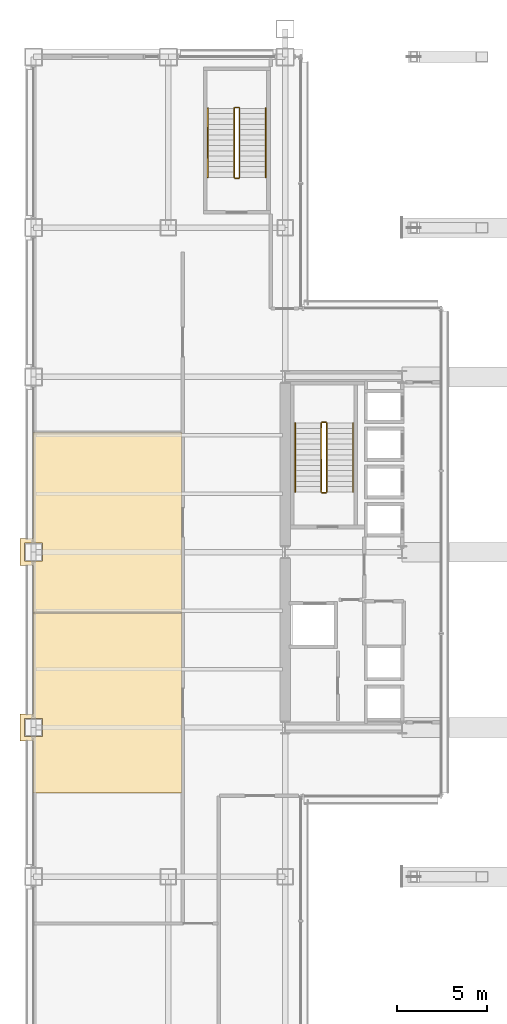
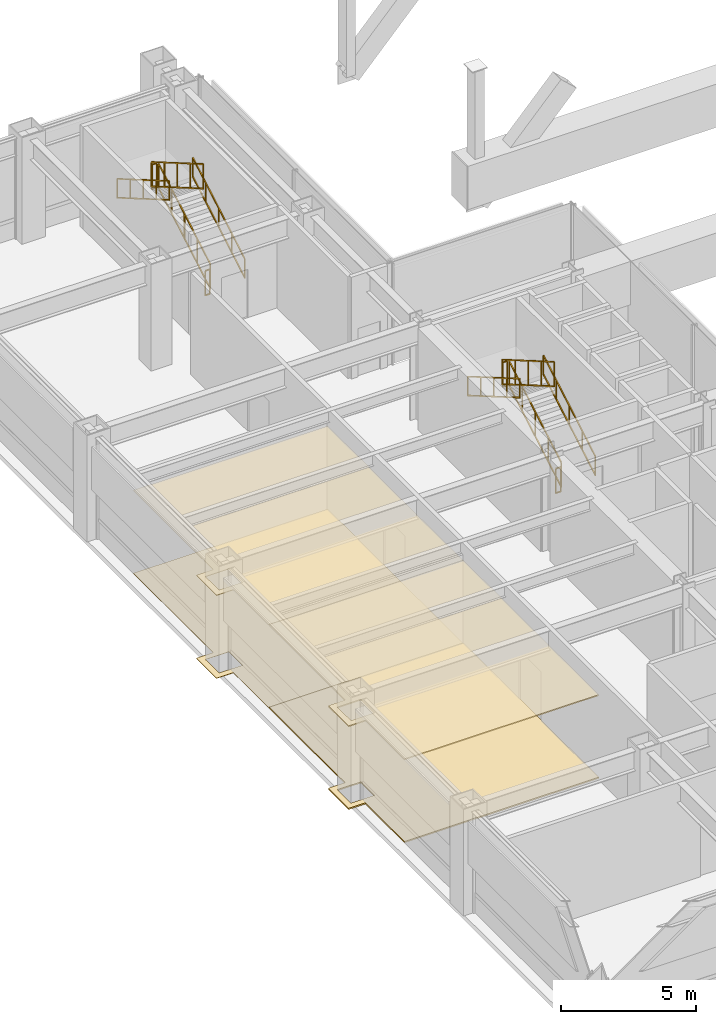
# One storey, part 41 of 42: 12 railings, 4 coverings.
"""IFC4 building model written with IfcOpenShell, lengths in metres."""

from ifc_helpers import new_model, si_unit, direction, frame, origin, origin_2d, place, context, subcontext, project, spatial, polyline, rectangle, outline, extrude, material, layer, layer_set, type_object, element, save


model = new_model("IFC4")

# Units and contexts
model_context = context("Model", 3, precision=1e-05, world=origin(), true_north=direction((0.0, 1.0)))
body_context = subcontext(model_context, "Body", "Model", "MODEL_VIEW")
ifc_project = project(units=[si_unit("LENGTHUNIT", "METRE"), si_unit("AREAUNIT", "SQUARE_METRE"), si_unit("VOLUMEUNIT", "CUBIC_METRE"), si_unit("PLANEANGLEUNIT", "RADIAN"), si_unit("MASSUNIT", "GRAM", prefix="KILO")], contexts=[model_context])

# Site, building, storey
site_placement = place(None, origin())
site = spatial("IfcSite", under=ifc_project, at=site_placement, CompositionType="ELEMENT")
building_placement = place(site_placement, origin())
building = spatial("IfcBuilding", under=site, at=building_placement, Name="Brelmoor Portico Tower", CompositionType="ELEMENT")
storey_placement = place(building_placement, frame((0.0, 0.0, 9.60009765625)))
storey = spatial("IfcBuildingStorey", under=building, at=storey_placement, Name="L02", CompositionType="ELEMENT", Elevation=9.60009765625)

# Coverings
ifc_material_1 = material(Name="Perforated Mineral-Fibre Acoustic Ceiling Tile", Category="gypsum")
ifc_layer_1 = layer(ifc_material_1, 0.02490234375)
ifc_layer_set_1 = layer_set([ifc_layer_1], Name="Perforated Mineral-Fibre Acoustic Ceiling Tile")
covering_type_1 = type_object("IfcCoveringType", Name="CV-CEIL-GYPSUM-25", PredefinedType="CEILING", material=ifc_layer_set_1)
covering_1_placement = place(storey_placement, frame((0.0, 0.0, 3.72998046875)))
element("IfcCovering", 1, at=covering_1_placement, inside=storey, type_object=covering_type_1, Name="L02 Acoustic Suspended Ceiling 02", PredefinedType="CEILING", context=body_context, shape_type="SweptSolid", body=[
    extrude(outline(polyline([(-29.300048828125, 0.75), (-28.580078125, 0.75), (-28.580078125, 6.646728515625), (-20.2900390625, 6.646728515625), (-20.2900390625, -3.3466796875), (-28.580078125, -3.3466796875), (-28.580078125, -0.75), (-29.300048828125, -0.75), (-29.300048828125, 0.75)]), holes=[polyline([(-28.050048828125, -0.5), (-28.050048828125, 0.5), (-29.050048828125, 0.5), (-29.050048828125, -0.5), (-28.050048828125, -0.5)])]), origin(), (0.0, 0.0, 1.0), 0.02490234375),
])
ifc_material_2 = material(Name="Slatted FSC Oak Acoustic Feature Ceiling", Category="timber")
ifc_layer_2 = layer(ifc_material_2, 0.052001953125)
ifc_layer_set_2 = layer_set([ifc_layer_2], Name="Slatted FSC Oak Acoustic Feature Ceiling")
covering_type_2 = type_object("IfcCoveringType", Name="CV-CEIL-TIMBER-52", PredefinedType="CEILING", material=ifc_layer_set_2)
covering_2_placement = place(storey_placement, frame((0.0, 0.0, 3.72998046875)))
element("IfcCovering", 2, at=covering_2_placement, inside=storey, type_object=covering_type_2, Name="L02 Acoustic Suspended Ceiling 01", PredefinedType="CEILING", context=body_context, shape_type="SweptSolid", body=[
    extrude(outline(polyline([(-29.300048828125, -9.0), (-28.580078125, -9.0), (-28.580078125, -3.38671875), (-20.2900390625, -3.38671875), (-20.2900390625, -13.3798828125), (-28.580078125, -13.3798828125), (-28.580078125, -10.5), (-29.300048828125, -10.5), (-29.300048828125, -9.0)]), holes=[polyline([(-29.050048828125, -10.25), (-28.050048828125, -10.25), (-28.050048828125, -9.25), (-29.050048828125, -9.25), (-29.050048828125, -10.25)])]), origin(), (0.0, 0.0, 1.0), 0.052001953125),
])
ifc_material_3 = material(Name="Calcium-Sulphate Raised Access Floor Panel", Category="steel")
ifc_layer_3 = layer(ifc_material_3, 0.06005859375)
ifc_layer_set_3 = layer_set([ifc_layer_3], Name="Calcium-Sulphate Raised Access Floor Panel")
covering_type_3 = type_object("IfcCoveringType", Name="CV-FLR-ACCESS-60", PredefinedType="FLOORING", material=ifc_layer_set_3)
covering_3_placement = place(storey_placement, origin())
element("IfcCovering", 3, at=covering_3_placement, inside=storey, type_object=covering_type_3, Name="L02 Architectural Floor Finish 01", PredefinedType="FLOORING", context=body_context, shape_type="SweptSolid", body=[
    extrude(outline(polyline([(-29.300048828125, -9.0), (-28.580078125, -9.0), (-28.580078125, -3.38671875), (-20.2900390625, -3.38671875), (-20.2900390625, -13.3798828125), (-28.580078125, -13.3798828125), (-28.580078125, -10.5), (-29.300048828125, -10.5), (-29.300048828125, -9.0)]), holes=[polyline([(-29.050048828125, -10.25), (-28.050048828125, -10.25), (-28.050048828125, -9.25), (-29.050048828125, -9.25), (-29.050048828125, -10.25)])]), origin(), (0.0, 0.0, 1.0), 0.059814453125),
])
ifc_material_4 = material(Name="Solution-Dyed Nylon Acoustic Carpet Tile", Category="textile")
ifc_layer_4 = layer(ifc_material_4, 0.013916015625)
ifc_layer_set_4 = layer_set([ifc_layer_4], Name="Solution-Dyed Nylon Acoustic Carpet Tile")
covering_type_4 = type_object("IfcCoveringType", Name="CV-FLR-CARPET-14", PredefinedType="FLOORING", material=ifc_layer_set_4)
covering_4_placement = place(storey_placement, origin())
element("IfcCovering", 4, at=covering_4_placement, inside=storey, type_object=covering_type_4, Name="L02 Architectural Floor Finish 02", PredefinedType="FLOORING", context=body_context, shape_type="SweptSolid", body=[
    extrude(outline(polyline([(-29.300048828125, 0.75), (-28.580078125, 0.75), (-28.580078125, 6.646728515625), (-20.2900390625, 6.646728515625), (-20.2900390625, -3.3466796875), (-28.580078125, -3.3466796875), (-28.580078125, -0.75), (-29.300048828125, -0.75), (-29.300048828125, 0.75)]), holes=[polyline([(-28.050048828125, -0.5), (-28.050048828125, 0.5), (-29.050048828125, 0.5), (-29.050048828125, -0.5), (-28.050048828125, -0.5)])]), origin(), (0.0, 0.0, 1.0), 0.013916015625),
])

# Railings
ifc_material_5 = material(Name="Painted Tubular Steel Q235B", Category="steel")
railing_type_1 = type_object("IfcRailingType", Name="RL-STAIR-GUARD", PredefinedType="GUARDRAIL", material=ifc_material_5)
railing_1_placement = place(storey_placement, frame((-12.239990234375, 3.35009765625, 0.17138671875)))
element("IfcRailing", 5, at=railing_1_placement, inside=storey, type_object=railing_type_1, Name="L02 ST-W stair guard 1", PredefinedType="GUARDRAIL", context=body_context, shape_type="SweptSolid", body=[
    extrude(rectangle(XDim=0.048095703125, YDim=0.048095703125, at=origin_2d()), frame((0.0, 0.0, 1.1259765625), z_axis=(0.0, 0.86461618451, 0.502432934314), x_axis=(-1.0, 0.0, 0.0)), (0.0, 0.0, 1.0), 4.435546875),
    extrude(rectangle(XDim=0.048095703125, YDim=0.048095703125, at=origin_2d()), frame((0.0, 0.0, 0.02392578125), z_axis=(0.0, 0.86461618451, 0.502432934314), x_axis=(-1.0, 0.0, 0.0)), (0.0, 0.0, 1.0), 4.435546875),
    extrude(rectangle(XDim=0.0419921875, YDim=0.0419921875, at=origin_2d()), origin(), (0.0, 0.0, 1.0), 1.101806640625),
    extrude(rectangle(XDim=0.0419921875, YDim=0.0419921875, at=origin_2d()), frame((0.0, 0.958740234375, 0.55712890625)), (0.0, 0.0, 1.0), 1.101806640625),
    extrude(rectangle(XDim=0.0419921875, YDim=0.0419921875, at=origin_2d()), frame((0.0, 1.91748046875, 1.1142578125)), (0.0, 0.0, 1.0), 1.101806640625),
    extrude(rectangle(XDim=0.0419921875, YDim=0.0419921875, at=origin_2d()), frame((0.0, 2.876220703125, 1.67138671875)), (0.0, 0.0, 1.0), 1.101806640625),
    extrude(rectangle(XDim=0.0419921875, YDim=0.0419921875, at=origin_2d()), frame((0.0, 3.8349609375, 2.228515625)), (0.0, 0.0, 1.0), 1.101806640625),
])
railing_2_placement = place(storey_placement, frame((-12.2900390625, 7.235107421875, 2.39990234375)))
element("IfcRailing", 6, at=railing_2_placement, inside=storey, type_object=railing_type_1, Name="L02 ST-W stair guard 2", PredefinedType="GUARDRAIL", context=body_context, shape_type="SweptSolid", body=[
    extrude(rectangle(XDim=0.048095703125, YDim=0.048095703125, at=origin_2d()), frame((0.0, 0.0, 1.1259765625), z_axis=(-1.0, 0.0, 0.0), x_axis=(0.0, -1.0, 0.0)), (0.0, 0.0, 1.0), 0.199951171875),
    extrude(rectangle(XDim=0.048095703125, YDim=0.048095703125, at=origin_2d()), frame((0.0, 0.0, 0.02392578125), z_axis=(-1.0, 0.0, 0.0), x_axis=(0.0, -1.0, 0.0)), (0.0, 0.0, 1.0), 0.199951171875),
    extrude(rectangle(XDim=0.0419921875, YDim=0.0419921875, at=origin_2d()), origin(), (0.0, 0.0, 1.0), 1.101806640625),
    extrude(rectangle(XDim=0.0419921875, YDim=0.0419921875, at=origin_2d()), frame((-0.199951171875, 0.0, 0.0)), (0.0, 0.0, 1.0), 1.101806640625),
])
railing_3_placement = place(storey_placement, frame((-12.5400390625, 7.18505859375, 2.5712890625)))
element("IfcRailing", 7, at=railing_3_placement, inside=storey, type_object=railing_type_1, Name="L02 ST-W stair guard 3", PredefinedType="GUARDRAIL", context=body_context, shape_type="SweptSolid", body=[
    extrude(rectangle(XDim=0.048095703125, YDim=0.048095703125, at=origin_2d()), frame((0.0, 0.0, 1.1259765625), z_axis=(0.0, -0.86461618451, 0.502432934314), x_axis=(1.0, 0.0, 0.0)), (0.0, 0.0, 1.0), 4.435546875),
    extrude(rectangle(XDim=0.048095703125, YDim=0.048095703125, at=origin_2d()), frame((0.0, 0.0, 0.02392578125), z_axis=(0.0, -0.86461618451, 0.502432934314), x_axis=(1.0, 0.0, 0.0)), (0.0, 0.0, 1.0), 4.435546875),
    extrude(rectangle(XDim=0.0419921875, YDim=0.0419921875, at=origin_2d()), origin(), (0.0, 0.0, 1.0), 1.101806640625),
    extrude(rectangle(XDim=0.0419921875, YDim=0.0419921875, at=origin_2d()), frame((0.0, -0.958740234375, 0.55712890625)), (0.0, 0.0, 1.0), 1.101806640625),
    extrude(rectangle(XDim=0.0419921875, YDim=0.0419921875, at=origin_2d()), frame((0.0, -1.91748046875, 1.1142578125)), (0.0, 0.0, 1.0), 1.101806640625),
    extrude(rectangle(XDim=0.0419921875, YDim=0.0419921875, at=origin_2d()), frame((0.0, -2.876220703125, 1.67138671875)), (0.0, 0.0, 1.0), 1.101806640625),
    extrude(rectangle(XDim=0.0419921875, YDim=0.0419921875, at=origin_2d()), frame((0.0, -3.8349609375, 2.228515625)), (0.0, 0.0, 1.0), 1.101806640625),
])
railing_4_placement = place(storey_placement, frame((-12.2900390625, 3.300048828125, 0.0)))
element("IfcRailing", 8, at=railing_4_placement, inside=storey, type_object=railing_type_1, Name="L02 ST-W stair guard 4", PredefinedType="GUARDRAIL", context=body_context, shape_type="SweptSolid", body=[
    extrude(rectangle(XDim=0.048095703125, YDim=0.048095703125, at=origin_2d()), frame((0.0, 0.0, 1.1259765625), z_axis=(-1.0, 0.0, 0.0), x_axis=(0.0, -1.0, 0.0)), (0.0, 0.0, 1.0), 0.199951171875),
    extrude(rectangle(XDim=0.048095703125, YDim=0.048095703125, at=origin_2d()), frame((0.0, 0.0, 0.02392578125), z_axis=(-1.0, 0.0, 0.0), x_axis=(0.0, -1.0, 0.0)), (0.0, 0.0, 1.0), 0.199951171875),
    extrude(rectangle(XDim=0.0419921875, YDim=0.0419921875, at=origin_2d()), origin(), (0.0, 0.0, 1.0), 1.101806640625),
    extrude(rectangle(XDim=0.0419921875, YDim=0.0419921875, at=origin_2d()), frame((-0.199951171875, 0.0, 0.0)), (0.0, 0.0, 1.0), 1.101806640625),
])
railing_5_placement = place(storey_placement, frame((-17.090087890625, 20.85009765625, 0.17138671875)))
element("IfcRailing", 9, at=railing_5_placement, inside=storey, type_object=railing_type_1, Name="L02 ST-P1 stair guard 1", PredefinedType="GUARDRAIL", context=body_context, shape_type="SweptSolid", body=[
    extrude(rectangle(XDim=0.048095703125, YDim=0.048095703125, at=origin_2d()), frame((0.0, 0.0, 1.1259765625), z_axis=(0.0, 0.86461618451, 0.502432934314), x_axis=(-1.0, 0.0, 0.0)), (0.0, 0.0, 1.0), 4.435546875),
    extrude(rectangle(XDim=0.048095703125, YDim=0.048095703125, at=origin_2d()), frame((0.0, 0.0, 0.02392578125), z_axis=(0.0, 0.86461618451, 0.502432934314), x_axis=(-1.0, 0.0, 0.0)), (0.0, 0.0, 1.0), 4.435546875),
    extrude(rectangle(XDim=0.0419921875, YDim=0.0419921875, at=origin_2d()), origin(), (0.0, 0.0, 1.0), 1.101806640625),
    extrude(rectangle(XDim=0.0419921875, YDim=0.0419921875, at=origin_2d()), frame((0.0, 0.958740234375, 0.55712890625)), (0.0, 0.0, 1.0), 1.101806640625),
    extrude(rectangle(XDim=0.0419921875, YDim=0.0419921875, at=origin_2d()), frame((0.0, 1.91748046875, 1.1142578125)), (0.0, 0.0, 1.0), 1.101806640625),
    extrude(rectangle(XDim=0.0419921875, YDim=0.0419921875, at=origin_2d()), frame((0.0, 2.876220703125, 1.67138671875)), (0.0, 0.0, 1.0), 1.101806640625),
    extrude(rectangle(XDim=0.0419921875, YDim=0.0419921875, at=origin_2d()), frame((0.0, 3.8349609375, 2.228515625)), (0.0, 0.0, 1.0), 1.101806640625),
])
railing_6_placement = place(storey_placement, frame((-17.139892578125, 24.735107421875, 2.39990234375)))
element("IfcRailing", 10, at=railing_6_placement, inside=storey, type_object=railing_type_1, Name="L02 ST-P1 stair guard 2", PredefinedType="GUARDRAIL", context=body_context, shape_type="SweptSolid", body=[
    extrude(rectangle(XDim=0.048095703125, YDim=0.048095703125, at=origin_2d()), frame((0.0, 0.0, 1.1259765625), z_axis=(-1.0, 0.0, 0.0), x_axis=(0.0, -1.0, 0.0)), (0.0, 0.0, 1.0), 0.2001953125),
    extrude(rectangle(XDim=0.048095703125, YDim=0.048095703125, at=origin_2d()), frame((0.0, 0.0, 0.02392578125), z_axis=(-1.0, 0.0, 0.0), x_axis=(0.0, -1.0, 0.0)), (0.0, 0.0, 1.0), 0.2001953125),
    extrude(rectangle(XDim=0.0419921875, YDim=0.0419921875, at=origin_2d()), origin(), (0.0, 0.0, 1.0), 1.101806640625),
    extrude(rectangle(XDim=0.0419921875, YDim=0.0419921875, at=origin_2d()), frame((-0.2001953125, 0.0, 0.0)), (0.0, 0.0, 1.0), 1.101806640625),
])
railing_7_placement = place(storey_placement, frame((-17.389892578125, 24.68505859375, 2.5712890625)))
element("IfcRailing", 11, at=railing_7_placement, inside=storey, type_object=railing_type_1, Name="L02 ST-P1 stair guard 3", PredefinedType="GUARDRAIL", context=body_context, shape_type="SweptSolid", body=[
    extrude(rectangle(XDim=0.048095703125, YDim=0.048095703125, at=origin_2d()), frame((0.0, 0.0, 1.1259765625), z_axis=(0.0, -0.86461618451, 0.502432934314), x_axis=(1.0, 0.0, 0.0)), (0.0, 0.0, 1.0), 4.435546875),
    extrude(rectangle(XDim=0.048095703125, YDim=0.048095703125, at=origin_2d()), frame((0.0, 0.0, 0.02392578125), z_axis=(0.0, -0.86461618451, 0.502432934314), x_axis=(1.0, 0.0, 0.0)), (0.0, 0.0, 1.0), 4.435546875),
    extrude(rectangle(XDim=0.0419921875, YDim=0.0419921875, at=origin_2d()), origin(), (0.0, 0.0, 1.0), 1.101806640625),
    extrude(rectangle(XDim=0.0419921875, YDim=0.0419921875, at=origin_2d()), frame((0.0, -0.958740234375, 0.55712890625)), (0.0, 0.0, 1.0), 1.101806640625),
    extrude(rectangle(XDim=0.0419921875, YDim=0.0419921875, at=origin_2d()), frame((0.0, -1.91748046875, 1.1142578125)), (0.0, 0.0, 1.0), 1.101806640625),
    extrude(rectangle(XDim=0.0419921875, YDim=0.0419921875, at=origin_2d()), frame((0.0, -2.876220703125, 1.67138671875)), (0.0, 0.0, 1.0), 1.101806640625),
    extrude(rectangle(XDim=0.0419921875, YDim=0.0419921875, at=origin_2d()), frame((0.0, -3.8349609375, 2.228515625)), (0.0, 0.0, 1.0), 1.101806640625),
])
railing_8_placement = place(storey_placement, frame((-17.139892578125, 20.800048828125, 0.0)))
element("IfcRailing", 12, at=railing_8_placement, inside=storey, type_object=railing_type_1, Name="L02 ST-P1 stair guard 4", PredefinedType="GUARDRAIL", context=body_context, shape_type="SweptSolid", body=[
    extrude(rectangle(XDim=0.048095703125, YDim=0.048095703125, at=origin_2d()), frame((0.0, 0.0, 1.1259765625), z_axis=(-1.0, 0.0, 0.0), x_axis=(0.0, -1.0, 0.0)), (0.0, 0.0, 1.0), 0.2001953125),
    extrude(rectangle(XDim=0.048095703125, YDim=0.048095703125, at=origin_2d()), frame((0.0, 0.0, 0.02392578125), z_axis=(-1.0, 0.0, 0.0), x_axis=(0.0, -1.0, 0.0)), (0.0, 0.0, 1.0), 0.2001953125),
    extrude(rectangle(XDim=0.0419921875, YDim=0.0419921875, at=origin_2d()), origin(), (0.0, 0.0, 1.0), 1.101806640625),
    extrude(rectangle(XDim=0.0419921875, YDim=0.0419921875, at=origin_2d()), frame((-0.2001953125, 0.0, 0.0)), (0.0, 0.0, 1.0), 1.101806640625),
])
ifc_material_6 = material(Name="Brushed Stainless Steel 304", Category="steel")
railing_type_2 = type_object("IfcRailingType", Name="RL-STAIR-HANDRAIL", PredefinedType="HANDRAIL", material=ifc_material_6)
railing_9_placement = place(storey_placement, frame((-10.780029296875, 3.35009765625, 0.17138671875)))
element("IfcRailing", 13, at=railing_9_placement, inside=storey, type_object=railing_type_2, Name="L02 ST-W stair handrail 1", PredefinedType="HANDRAIL", context=body_context, shape_type="SweptSolid", body=[
    extrude(rectangle(XDim=0.048095703125, YDim=0.048095703125, at=origin_2d()), frame((0.0, 0.0, 0.8759765625), z_axis=(0.0, 0.86461618451, 0.502432934314), x_axis=(-1.0, 0.0, 0.0)), (0.0, 0.0, 1.0), 4.435546875),
    extrude(rectangle(XDim=0.048095703125, YDim=0.048095703125, at=origin_2d()), frame((0.0, 0.0, 0.02392578125), z_axis=(0.0, 0.86461618451, 0.502432934314), x_axis=(-1.0, 0.0, 0.0)), (0.0, 0.0, 1.0), 4.435546875),
    extrude(rectangle(XDim=0.0419921875, YDim=0.0419921875, at=origin_2d()), origin(), (0.0, 0.0, 1.0), 0.851806640625),
    extrude(rectangle(XDim=0.0419921875, YDim=0.0419921875, at=origin_2d()), frame((0.0, 0.958740234375, 0.55712890625)), (0.0, 0.0, 1.0), 0.851806640625),
    extrude(rectangle(XDim=0.0419921875, YDim=0.0419921875, at=origin_2d()), frame((0.0, 1.91748046875, 1.1142578125)), (0.0, 0.0, 1.0), 0.851806640625),
    extrude(rectangle(XDim=0.0419921875, YDim=0.0419921875, at=origin_2d()), frame((0.0, 2.876220703125, 1.67138671875)), (0.0, 0.0, 1.0), 0.851806640625),
    extrude(rectangle(XDim=0.0419921875, YDim=0.0419921875, at=origin_2d()), frame((0.0, 3.8349609375, 2.228515625)), (0.0, 0.0, 1.0), 0.851806640625),
])
railing_10_placement = place(storey_placement, frame((-14.0, 7.18505859375, 2.5712890625)))
element("IfcRailing", 14, at=railing_10_placement, inside=storey, type_object=railing_type_2, Name="L02 ST-W stair handrail 2", PredefinedType="HANDRAIL", context=body_context, shape_type="SweptSolid", body=[
    extrude(rectangle(XDim=0.048095703125, YDim=0.048095703125, at=origin_2d()), frame((0.0, 0.0, 0.8759765625), z_axis=(0.0, -0.86461618451, 0.502432934314), x_axis=(1.0, 0.0, 0.0)), (0.0, 0.0, 1.0), 4.435546875),
    extrude(rectangle(XDim=0.048095703125, YDim=0.048095703125, at=origin_2d()), frame((0.0, 0.0, 0.02392578125), z_axis=(0.0, -0.86461618451, 0.502432934314), x_axis=(1.0, 0.0, 0.0)), (0.0, 0.0, 1.0), 4.435546875),
    extrude(rectangle(XDim=0.0419921875, YDim=0.0419921875, at=origin_2d()), origin(), (0.0, 0.0, 1.0), 0.851806640625),
    extrude(rectangle(XDim=0.0419921875, YDim=0.0419921875, at=origin_2d()), frame((0.0, -0.958740234375, 0.55712890625)), (0.0, 0.0, 1.0), 0.851806640625),
    extrude(rectangle(XDim=0.0419921875, YDim=0.0419921875, at=origin_2d()), frame((0.0, -1.91748046875, 1.1142578125)), (0.0, 0.0, 1.0), 0.851806640625),
    extrude(rectangle(XDim=0.0419921875, YDim=0.0419921875, at=origin_2d()), frame((0.0, -2.876220703125, 1.67138671875)), (0.0, 0.0, 1.0), 0.851806640625),
    extrude(rectangle(XDim=0.0419921875, YDim=0.0419921875, at=origin_2d()), frame((0.0, -3.8349609375, 2.228515625)), (0.0, 0.0, 1.0), 0.851806640625),
])
railing_11_placement = place(storey_placement, frame((-15.6298828125, 20.85009765625, 0.17138671875)))
element("IfcRailing", 15, at=railing_11_placement, inside=storey, type_object=railing_type_2, Name="L02 ST-P1 stair handrail 1", PredefinedType="HANDRAIL", context=body_context, shape_type="SweptSolid", body=[
    extrude(rectangle(XDim=0.048095703125, YDim=0.048095703125, at=origin_2d()), frame((0.0, 0.0, 0.8759765625), z_axis=(0.0, 0.86461618451, 0.502432934314), x_axis=(-1.0, 0.0, 0.0)), (0.0, 0.0, 1.0), 4.435546875),
    extrude(rectangle(XDim=0.048095703125, YDim=0.048095703125, at=origin_2d()), frame((0.0, 0.0, 0.02392578125), z_axis=(0.0, 0.86461618451, 0.502432934314), x_axis=(-1.0, 0.0, 0.0)), (0.0, 0.0, 1.0), 4.435546875),
    extrude(rectangle(XDim=0.0419921875, YDim=0.0419921875, at=origin_2d()), origin(), (0.0, 0.0, 1.0), 0.851806640625),
    extrude(rectangle(XDim=0.0419921875, YDim=0.0419921875, at=origin_2d()), frame((0.0, 0.958740234375, 0.55712890625)), (0.0, 0.0, 1.0), 0.851806640625),
    extrude(rectangle(XDim=0.0419921875, YDim=0.0419921875, at=origin_2d()), frame((0.0, 1.91748046875, 1.1142578125)), (0.0, 0.0, 1.0), 0.851806640625),
    extrude(rectangle(XDim=0.0419921875, YDim=0.0419921875, at=origin_2d()), frame((0.0, 2.876220703125, 1.67138671875)), (0.0, 0.0, 1.0), 0.851806640625),
    extrude(rectangle(XDim=0.0419921875, YDim=0.0419921875, at=origin_2d()), frame((0.0, 3.8349609375, 2.228515625)), (0.0, 0.0, 1.0), 0.851806640625),
])
railing_12_placement = place(storey_placement, frame((-18.85009765625, 24.68505859375, 2.5712890625)))
element("IfcRailing", 16, at=railing_12_placement, inside=storey, type_object=railing_type_2, Name="L02 ST-P1 stair handrail 2", PredefinedType="HANDRAIL", context=body_context, shape_type="SweptSolid", body=[
    extrude(rectangle(XDim=0.048095703125, YDim=0.048095703125, at=origin_2d()), frame((0.0, 0.0, 0.8759765625), z_axis=(0.0, -0.86461618451, 0.502432934314), x_axis=(1.0, 0.0, 0.0)), (0.0, 0.0, 1.0), 4.435546875),
    extrude(rectangle(XDim=0.048095703125, YDim=0.048095703125, at=origin_2d()), frame((0.0, 0.0, 0.02392578125), z_axis=(0.0, -0.86461618451, 0.502432934314), x_axis=(1.0, 0.0, 0.0)), (0.0, 0.0, 1.0), 4.435546875),
    extrude(rectangle(XDim=0.0419921875, YDim=0.0419921875, at=origin_2d()), origin(), (0.0, 0.0, 1.0), 0.851806640625),
    extrude(rectangle(XDim=0.0419921875, YDim=0.0419921875, at=origin_2d()), frame((0.0, -0.958740234375, 0.55712890625)), (0.0, 0.0, 1.0), 0.851806640625),
    extrude(rectangle(XDim=0.0419921875, YDim=0.0419921875, at=origin_2d()), frame((0.0, -1.91748046875, 1.1142578125)), (0.0, 0.0, 1.0), 0.851806640625),
    extrude(rectangle(XDim=0.0419921875, YDim=0.0419921875, at=origin_2d()), frame((0.0, -2.876220703125, 1.67138671875)), (0.0, 0.0, 1.0), 0.851806640625),
    extrude(rectangle(XDim=0.0419921875, YDim=0.0419921875, at=origin_2d()), frame((0.0, -3.8349609375, 2.228515625)), (0.0, 0.0, 1.0), 0.851806640625),
])

save(model, "model.ifc")
